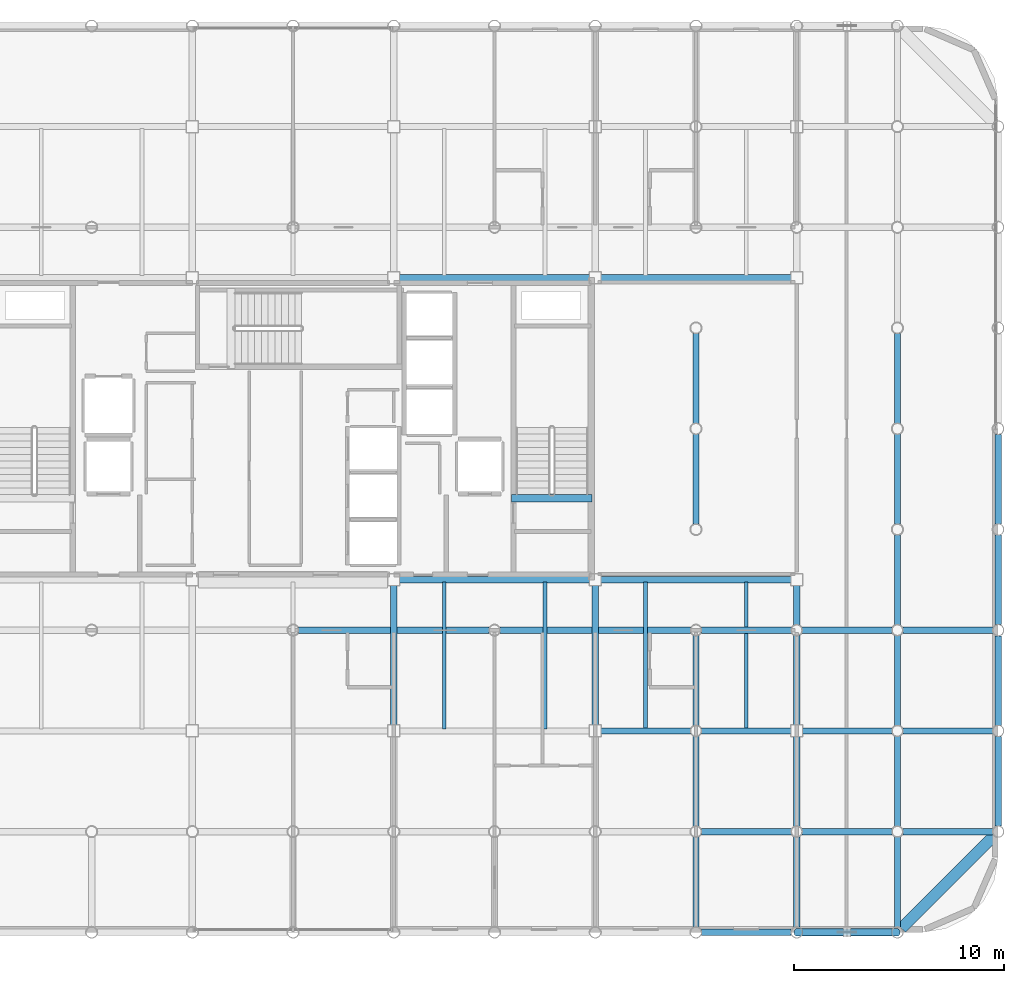
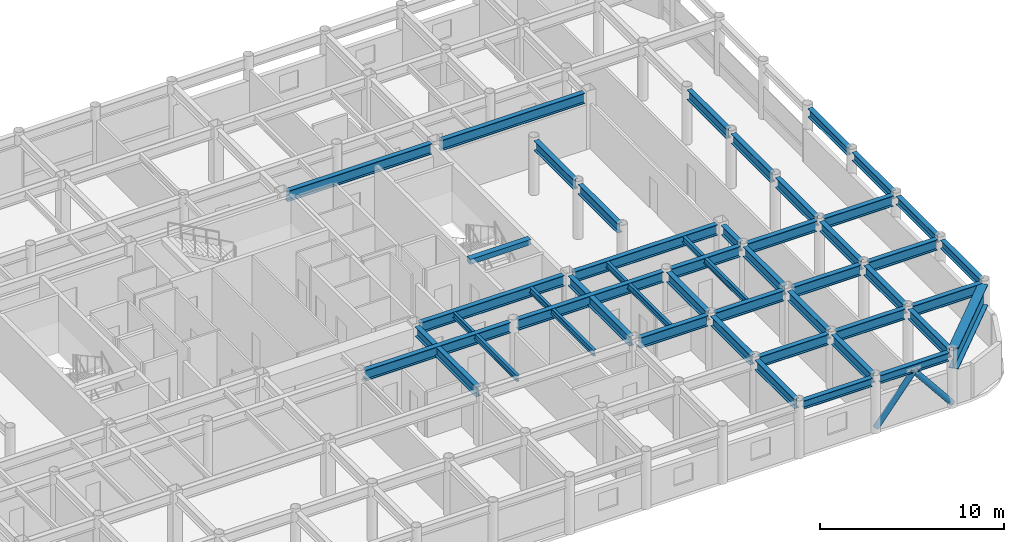
# One storey, part 9 of 22: 45 beams, 2 members.
"""IFC4 building model written with IfcOpenShell, lengths in metres."""

from ifc_helpers import new_model, si_unit, direction, frame, origin, origin_2d, place, context, subcontext, project, spatial, rectangle, hollow_circle, i_section, extrude, material, material_profile, profile_set, type_object, element, save


model = new_model("IFC4")

# Units and contexts
model_context = context("Model", 3, precision=1e-05, world=origin(), true_north=direction((0.0, 1.0)))
body_context = subcontext(model_context, "Body", "Model", "MODEL_VIEW")
ifc_project = project(units=[si_unit("LENGTHUNIT", "METRE"), si_unit("AREAUNIT", "SQUARE_METRE"), si_unit("VOLUMEUNIT", "CUBIC_METRE"), si_unit("PLANEANGLEUNIT", "RADIAN"), si_unit("MASSUNIT", "GRAM", prefix="KILO")], contexts=[model_context])

# Site, building, storey
site_placement = place(None, origin())
site = spatial("IfcSite", under=ifc_project, at=site_placement, CompositionType="ELEMENT")
building_placement = place(site_placement, origin())
building = spatial("IfcBuilding", under=site, at=building_placement, Name="Kallvorn Hotel Tower", CompositionType="ELEMENT")
storey_placement = place(building_placement, frame((0.0, 0.0, 203.050048828125)))
storey = spatial("IfcBuildingStorey", under=building, at=storey_placement, Name="L50", CompositionType="ELEMENT", Elevation=203.050048828125)

# Beams
ifc_material_1 = material(Name="Structural steel S355JR", Category="steel")
ifc_material_profile_1 = material_profile(ifc_material_1, i_section(OverallWidth=0.300048828125, OverallDepth=0.550048828125, WebThickness=0.014892578125, FlangeThickness=0.029052734375, at=origin_2d()), Name="HE 550 B")
ifc_profile_set_1 = profile_set([ifc_material_profile_1], Name="Structural steel S355JR")
beam_type_1 = type_object("IfcBeamType", Name="BM_HE550B", PredefinedType="SPANDREL", material=ifc_profile_set_1)
for number, where, z_axis, x_axis, name in (
    (1, (19.469482421875, -24.0, 3.39501953125), (1.0, 0.0, 0.0), (0.0, 1.0, 0.0), "L51 Perimeter Spandrel 160"),
    (2, (24.26953125, -24.0, 3.39501953125), (1.0, 0.0, 0.0), (0.0, 1.0, 0.0), "L51 Perimeter Spandrel 161"),
    (3, (33.60009765625, -18.930419921875, 3.39501953125), (0.0, 1.0, 0.0), (-1.0, 0.0, 0.0), "L51 Perimeter Spandrel 182"),
):
    element("IfcBeam", number, at=place(storey_placement, frame(where, z_axis=z_axis, x_axis=x_axis)), inside=storey, type_object=beam_type_1, Name=name, PredefinedType="SPANDREL", context=body_context, shape_type="SweptSolid", body=[
        extrude(i_section(OverallWidth=0.300048828125, OverallDepth=0.550048828125, WebThickness=0.014892578125, FlangeThickness=0.029052734375, at=origin_2d()), origin(), (0.0, 0.0, 1.0), 4.260986328125),
    ])
beam_1_placement = place(storey_placement, frame((33.60009765625, -14.130615234375, 3.39501953125), z_axis=(0.0, 1.0, 0.0), x_axis=(-1.0, 0.0, 0.0)))
element("IfcBeam", 4, at=beam_1_placement, inside=storey, type_object=beam_type_1, Name="L51 Perimeter Spandrel 183", PredefinedType="SPANDREL", context=body_context, shape_type="SweptSolid", body=[
    extrude(i_section(OverallWidth=0.300048828125, OverallDepth=0.550048828125, WebThickness=0.014892578125, FlangeThickness=0.029052734375, at=origin_2d()), origin(), (0.0, 0.0, 1.0), 4.26123046875),
])
for number, where, z_axis, x_axis, name in (
    (5, (33.60009765625, -9.33056640625, 3.39501953125), (0.0, 1.0, 0.0), (-1.0, 0.0, 0.0), "L51 Perimeter Spandrel 184"),
    (6, (33.60009765625, -4.530517578125, 3.39501953125), (0.0, 1.0, 0.0), (-1.0, 0.0, 0.0), "L51 Perimeter Spandrel 185"),
):
    element("IfcBeam", number, at=place(storey_placement, frame(where, z_axis=z_axis, x_axis=x_axis)), inside=storey, type_object=beam_type_1, Name=name, PredefinedType="SPANDREL", context=body_context, shape_type="SweptSolid", body=[
        extrude(i_section(OverallWidth=0.300048828125, OverallDepth=0.550048828125, WebThickness=0.014892578125, FlangeThickness=0.029052734375, at=origin_2d()), origin(), (0.0, 0.0, 1.0), 4.260986328125),
    ])
ifc_material_2 = material(Name="Structural steel S355JR", Category="steel")
ifc_material_profile_2 = material_profile(ifc_material_2, i_section(OverallWidth=0.300048828125, OverallDepth=0.64990234375, WebThickness=0.01611328125, FlangeThickness=0.031005859375, at=origin_2d()), Name="HE 650 B")
ifc_profile_set_2 = profile_set([ifc_material_profile_2], Name="Structural steel S355JR")
beam_type_2 = type_object("IfcBeamType", Name="BM_HE650B", PredefinedType="BEAM", material=ifc_profile_set_2)
for number, where, z_axis, x_axis, name in (
    (7, (4.800048828125, -14.125, 3.344970703125), (0.0, 1.0, 0.0), (-1.0, 0.0, 0.0), "L51 Primary Y-Girder 115"),
    (8, (14.39990234375, -14.125, 3.344970703125), (0.0, 1.0, 0.0), (-1.0, 0.0, 0.0), "L51 Primary Y-Girder 123"),
):
    element("IfcBeam", number, at=place(storey_placement, frame(where, z_axis=z_axis, x_axis=x_axis)), inside=storey, type_object=beam_type_2, Name=name, PredefinedType="BEAM", context=body_context, shape_type="SweptSolid", body=[
        extrude(i_section(OverallWidth=0.300048828125, OverallDepth=0.64990234375, WebThickness=0.01611328125, FlangeThickness=0.031005859375, at=origin_2d()), origin(), (0.0, 0.0, 1.0), 6.64990234375),
    ])
for number, where, z_axis, x_axis, name in (
    (9, (19.199951171875, -23.74560546875, 3.344970703125), (0.0, 1.0, 0.0), (-1.0, 0.0, 0.0), "L51 Primary Y-Girder 126"),
    (10, (19.199951171875, -18.945556640625, 3.344970703125), (0.0, 1.0, 0.0), (-1.0, 0.0, 0.0), "L51 Primary Y-Girder 127"),
    (11, (19.199951171875, -14.1455078125, 3.344970703125), (0.0, 1.0, 0.0), (-1.0, 0.0, 0.0), "L51 Primary Y-Girder 128"),
    (12, (19.199951171875, -4.54541015625, 3.344970703125), (0.0, 1.0, 0.0), (-1.0, 0.0, 0.0), "L51 Primary Y-Girder 130"),
    (13, (19.199951171875, 0.25439453125, 3.344970703125), (0.0, 1.0, 0.0), (-1.0, 0.0, 0.0), "L51 Primary Y-Girder 131"),
    (14, (24.0, -23.74560546875, 3.344970703125), (0.0, 1.0, 0.0), (-1.0, 0.0, 0.0), "L51 Primary Y-Girder 135"),
):
    element("IfcBeam", number, at=place(storey_placement, frame(where, z_axis=z_axis, x_axis=x_axis)), inside=storey, type_object=beam_type_2, Name=name, PredefinedType="BEAM", context=body_context, shape_type="SweptSolid", body=[
        extrude(i_section(OverallWidth=0.300048828125, OverallDepth=0.64990234375, WebThickness=0.01611328125, FlangeThickness=0.031005859375, at=origin_2d()), origin(), (0.0, 0.0, 1.0), 4.291015625),
    ])
for number, where, z_axis, x_axis, name in (
    (15, (24.0, -18.945556640625, 3.344970703125), (0.0, 1.0, 0.0), (-1.0, 0.0, 0.0), "L51 Primary Y-Girder 136"),
    (16, (24.0, -14.125, 3.344970703125), (0.0, 1.0, 0.0), (-1.0, 0.0, 0.0), "L51 Primary Y-Girder 137"),
):
    element("IfcBeam", number, at=place(storey_placement, frame(where, z_axis=z_axis, x_axis=x_axis)), inside=storey, type_object=beam_type_2, Name=name, PredefinedType="BEAM", context=body_context, shape_type="SweptSolid", body=[
        extrude(i_section(OverallWidth=0.300048828125, OverallDepth=0.64990234375, WebThickness=0.01611328125, FlangeThickness=0.031005859375, at=origin_2d()), origin(), (0.0, 0.0, 1.0), 4.2705078125),
    ])
beam_2_placement = place(storey_placement, frame((24.0, -9.345458984375, 3.344970703125), z_axis=(0.0, 1.0, 0.0), x_axis=(-1.0, 0.0, 0.0)))
element("IfcBeam", 17, at=beam_2_placement, inside=storey, type_object=beam_type_2, Name="L51 Primary Y-Girder 138", PredefinedType="BEAM", context=body_context, shape_type="SweptSolid", body=[
    extrude(i_section(OverallWidth=0.300048828125, OverallDepth=0.64990234375, WebThickness=0.01611328125, FlangeThickness=0.031005859375, at=origin_2d()), origin(), (0.0, 0.0, 1.0), 1.870361328125),
])
for number, where, z_axis, x_axis, name in (
    (18, (28.800048828125, -23.74560546875, 3.344970703125), (0.0, 1.0, 0.0), (-1.0, 0.0, 0.0), "L51 Primary Y-Girder 142"),
    (19, (28.800048828125, -18.945556640625, 3.344970703125), (0.0, 1.0, 0.0), (-1.0, 0.0, 0.0), "L51 Primary Y-Girder 143"),
    (20, (28.800048828125, -14.1455078125, 3.344970703125), (0.0, 1.0, 0.0), (-1.0, 0.0, 0.0), "L51 Primary Y-Girder 144"),
    (21, (28.800048828125, -9.345458984375, 3.344970703125), (0.0, 1.0, 0.0), (-1.0, 0.0, 0.0), "L51 Primary Y-Girder 145"),
    (22, (28.800048828125, -4.54541015625, 3.344970703125), (0.0, 1.0, 0.0), (-1.0, 0.0, 0.0), "L51 Primary Y-Girder 146"),
    (23, (28.800048828125, 0.25439453125, 3.344970703125), (0.0, 1.0, 0.0), (-1.0, 0.0, 0.0), "L51 Primary Y-Girder 147"),
):
    element("IfcBeam", number, at=place(storey_placement, frame(where, z_axis=z_axis, x_axis=x_axis)), inside=storey, type_object=beam_type_2, Name=name, PredefinedType="BEAM", context=body_context, shape_type="SweptSolid", body=[
        extrude(i_section(OverallWidth=0.300048828125, OverallDepth=0.64990234375, WebThickness=0.01611328125, FlangeThickness=0.031005859375, at=origin_2d()), origin(), (0.0, 0.0, 1.0), 4.291015625),
    ])
ifc_material_3 = material(Name="Structural steel S355JR", Category="steel")
ifc_material_profile_3 = material_profile(ifc_material_3, i_section(OverallWidth=0.300048828125, OverallDepth=0.699951171875, WebThickness=0.01708984375, FlangeThickness=0.031982421875, at=origin_2d()), Name="HE 700 B")
ifc_profile_set_3 = profile_set([ifc_material_profile_3], Name="Structural steel S355JR")
beam_type_3 = type_object("IfcBeamType", Name="BM_HE700B", PredefinedType="BEAM", material=ifc_profile_set_3)
for number, where, z_axis, x_axis, name in (
    (24, (19.45458984375, -19.199951171875, 3.320068359375), (1.0, 0.0, 0.0), (0.0, 1.0, 0.0), "L51 Primary X-Girder 11"),
    (25, (24.25439453125, -19.199951171875, 3.320068359375), (1.0, 0.0, 0.0), (0.0, 1.0, 0.0), "L51 Primary X-Girder 12"),
    (26, (29.054443359375, -19.199951171875, 3.320068359375), (1.0, 0.0, 0.0), (0.0, 1.0, 0.0), "L51 Primary X-Girder 13"),
):
    element("IfcBeam", number, at=place(storey_placement, frame(where, z_axis=z_axis, x_axis=x_axis)), inside=storey, type_object=beam_type_3, Name=name, PredefinedType="BEAM", context=body_context, shape_type="SweptSolid", body=[
        extrude(i_section(OverallWidth=0.300048828125, OverallDepth=0.699951171875, WebThickness=0.01708984375, FlangeThickness=0.031982421875, at=origin_2d()), origin(), (0.0, 0.0, 1.0), 4.291015625),
    ])
for number, where, z_axis, x_axis, name in (
    (27, (14.675048828125, -14.39990234375, 3.320068359375), (1.0, 0.0, 0.0), (0.0, 1.0, 0.0), "L51 Primary X-Girder 20"),
    (28, (19.45458984375, -14.39990234375, 3.320068359375), (1.0, 0.0, 0.0), (0.0, 1.0, 0.0), "L51 Primary X-Girder 21"),
    (29, (24.27490234375, -14.39990234375, 3.320068359375), (1.0, 0.0, 0.0), (0.0, 1.0, 0.0), "L51 Primary X-Girder 22"),
):
    element("IfcBeam", number, at=place(storey_placement, frame(where, z_axis=z_axis, x_axis=x_axis)), inside=storey, type_object=beam_type_3, Name=name, PredefinedType="BEAM", context=body_context, shape_type="SweptSolid", body=[
        extrude(i_section(OverallWidth=0.300048828125, OverallDepth=0.699951171875, WebThickness=0.01708984375, FlangeThickness=0.031982421875, at=origin_2d()), origin(), (0.0, 0.0, 1.0), 4.2705078125),
    ])
beam_3_placement = place(storey_placement, frame((29.054443359375, -14.39990234375, 3.320068359375), z_axis=(1.0, 0.0, 0.0), x_axis=(0.0, 1.0, 0.0)))
element("IfcBeam", 30, at=beam_3_placement, inside=storey, type_object=beam_type_3, Name="L51 Primary X-Girder 23", PredefinedType="BEAM", context=body_context, shape_type="SweptSolid", body=[
    extrude(i_section(OverallWidth=0.300048828125, OverallDepth=0.699951171875, WebThickness=0.01708984375, FlangeThickness=0.031982421875, at=origin_2d()), origin(), (0.0, 0.0, 1.0), 4.291015625),
])
for number, where, z_axis, x_axis, name in (
    (31, (0.25439453125, -9.60009765625, 3.320068359375), (1.0, 0.0, 0.0), (0.0, 1.0, 0.0), "L51 Primary X-Girder 28"),
    (32, (9.8544921875, -9.60009765625, 3.320068359375), (1.0, 0.0, 0.0), (0.0, 1.0, 0.0), "L51 Primary X-Girder 29"),
):
    element("IfcBeam", number, at=place(storey_placement, frame(where, z_axis=z_axis, x_axis=x_axis)), inside=storey, type_object=beam_type_3, Name=name, PredefinedType="BEAM", context=body_context, shape_type="SweptSolid", body=[
        extrude(i_section(OverallWidth=0.300048828125, OverallDepth=0.699951171875, WebThickness=0.01708984375, FlangeThickness=0.031982421875, at=origin_2d()), origin(), (0.0, 0.0, 1.0), 9.091064453125),
    ])
for number, where, z_axis, x_axis, name in (
    (33, (19.45458984375, -9.60009765625, 3.320068359375), (1.0, 0.0, 0.0), (0.0, 1.0, 0.0), "L51 Primary X-Girder 30"),
    (34, (24.25439453125, -9.60009765625, 3.320068359375), (1.0, 0.0, 0.0), (0.0, 1.0, 0.0), "L51 Primary X-Girder 31"),
    (35, (29.054443359375, -9.60009765625, 3.320068359375), (1.0, 0.0, 0.0), (0.0, 1.0, 0.0), "L51 Primary X-Girder 32"),
):
    element("IfcBeam", number, at=place(storey_placement, frame(where, z_axis=z_axis, x_axis=x_axis)), inside=storey, type_object=beam_type_3, Name=name, PredefinedType="BEAM", context=body_context, shape_type="SweptSolid", body=[
        extrude(i_section(OverallWidth=0.300048828125, OverallDepth=0.699951171875, WebThickness=0.01708984375, FlangeThickness=0.031982421875, at=origin_2d()), origin(), (0.0, 0.0, 1.0), 4.291015625),
    ])
for number, where, z_axis, x_axis, name in (
    (36, (5.074951171875, -7.199951171875, 3.320068359375), (1.0, 0.0, 0.0), (0.0, 1.0, 0.0), "L51 Primary X-Girder 35"),
    (37, (14.675048828125, -7.199951171875, 3.320068359375), (1.0, 0.0, 0.0), (0.0, 1.0, 0.0), "L51 Primary X-Girder 36"),
    (38, (5.074951171875, 7.199951171875, 3.320068359375), (1.0, 0.0, 0.0), (0.0, 1.0, 0.0), "L51 Primary X-Girder 40"),
    (39, (14.675048828125, 7.199951171875, 3.320068359375), (1.0, 0.0, 0.0), (0.0, 1.0, 0.0), "L51 Primary X-Girder 41"),
):
    element("IfcBeam", number, at=place(storey_placement, frame(where, z_axis=z_axis, x_axis=x_axis)), inside=storey, type_object=beam_type_3, Name=name, PredefinedType="BEAM", context=body_context, shape_type="SweptSolid", body=[
        extrude(i_section(OverallWidth=0.300048828125, OverallDepth=0.699951171875, WebThickness=0.01708984375, FlangeThickness=0.031982421875, at=origin_2d()), origin(), (0.0, 0.0, 1.0), 9.050048828125),
    ])
ifc_material_4 = material(Name="Structural steel S355JR", Category="steel")
ifc_material_profile_4 = material_profile(ifc_material_4, i_section(OverallWidth=0.179931640625, OverallDepth=0.39990234375, WebThickness=0.008544921875, FlangeThickness=0.013427734375, at=origin_2d()), Name="IPE 400")
ifc_profile_set_4 = profile_set([ifc_material_profile_4], Name="Structural steel S355JR")
beam_type_4 = type_object("IfcBeamType", Name="BM_IPE400", PredefinedType="JOIST", material=ifc_profile_set_4)
for number, where, z_axis, x_axis, name in (
    (40, (7.199951171875, -14.300048828125, 3.469970703125), (0.0, 1.0, 0.0), (-1.0, 0.0, 0.0), "L51 Secondary Composite Joist 202"),
    (41, (12.0, -14.300048828125, 3.469970703125), (0.0, 1.0, 0.0), (-1.0, 0.0, 0.0), "L51 Secondary Composite Joist 204"),
    (42, (16.800048828125, -14.300048828125, 3.469970703125), (0.0, 1.0, 0.0), (-1.0, 0.0, 0.0), "L51 Secondary Composite Joist 206"),
    (43, (21.60009765625, -14.300048828125, 3.469970703125), (0.0, 1.0, 0.0), (-1.0, 0.0, 0.0), "L51 Secondary Composite Joist 208"),
):
    element("IfcBeam", number, at=place(storey_placement, frame(where, z_axis=z_axis, x_axis=x_axis)), inside=storey, type_object=beam_type_4, Name=name, PredefinedType="JOIST", context=body_context, shape_type="SweptSolid", body=[
        extrude(i_section(OverallWidth=0.179931640625, OverallDepth=0.39990234375, WebThickness=0.008544921875, FlangeThickness=0.013427734375, at=origin_2d()), origin(), (0.0, 0.0, 1.0), 7.0),
    ])
ifc_material_5 = material(Name="Structural steel S355JR", Category="steel")
ifc_material_profile_5 = material_profile(ifc_material_5, i_section(OverallWidth=0.550048828125, OverallDepth=1.39990234375, WebThickness=0.02490234375, FlangeThickness=0.044921875, at=origin_2d()), Name="PG 1400x550x25x45")
ifc_profile_set_5 = profile_set([ifc_material_profile_5], Name="Structural steel S355JR")
beam_type_5 = type_object("IfcBeamType", Name="BM_PG_1400", PredefinedType="BEAM", material=ifc_profile_set_5)
beam_4_placement = place(storey_placement, frame((33.409423828125, -19.390625, 2.969970703125), z_axis=(-0.707126314793, -0.707087247041, 0.0), x_axis=(0.707087247041, -0.707126314793, 0.0)))
element("IfcBeam", 44, at=beam_4_placement, inside=storey, type_object=beam_type_5, Name="L51 Rounded Corner Tie Beam 190", PredefinedType="BEAM", context=body_context, shape_type="SweptSolid", body=[
    extrude(i_section(OverallWidth=0.550048828125, OverallDepth=1.39990234375, WebThickness=0.02490234375, FlangeThickness=0.044921875, at=origin_2d()), origin(), (0.0, 0.0, 1.0), 6.249267578125),
])
ifc_material_6 = material(Name="Concrete C50/60", Category="concrete")
ifc_material_profile_6 = material_profile(ifc_material_6, rectangle(XDim=0.360107421875, YDim=0.340087890625, at=origin_2d()), Name="RC 360x340")
ifc_profile_set_6 = profile_set([ifc_material_profile_6], Name="Concrete C50/60")
beam_type_6 = type_object("IfcBeamType", Name="BM_RC_400x360", PredefinedType="BEAM", material=ifc_profile_set_6)
beam_5_placement = place(storey_placement, frame((14.239990234375, -3.31005859375, 3.5), z_axis=(-1.0, 0.0, 0.0), x_axis=(0.0, -1.0, 0.0)))
element("IfcBeam", 45, at=beam_5_placement, inside=storey, type_object=beam_type_6, Name="L51 Stair ST2 Arrival Trimmer Beam", PredefinedType="BEAM", context=body_context, shape_type="SweptSolid", body=[
    extrude(rectangle(XDim=0.360107421875, YDim=0.340087890625, at=origin_2d()), origin(), (0.0, 0.0, 1.0), 3.820068359375),
])

# Members
ifc_material_7 = material(Name="Structural steel S355J2H", Category="steel")
ifc_material_profile_7 = material_profile(ifc_material_7, hollow_circle(Radius=0.177734375, WallThickness=0.01416015625, at=origin_2d()), Name="CHS 355.6x14.2")
ifc_profile_set_7 = profile_set([ifc_material_profile_7], Name="Structural steel S355J2H")
member_type = type_object("IfcMemberType", Name="MBR_EXO_CHS355", PredefinedType="BRACE", material=ifc_profile_set_7)
for number, where, z_axis, x_axis, name in (
    (46, (24.012451171875, -24.0, 0.195556640625), (0.627270878626, 0.0, 0.778801158722), (0.0, 1.0, 0.0), "L50 Exoskeleton K-Brace S2A"),
    (47, (28.78759765625, -24.0, 0.195556640625), (-0.627270878626, 0.0, 0.778801158722), (0.0, -1.0, 0.0), "L50 Exoskeleton K-Brace S2B"),
):
    element("IfcMember", number, at=place(storey_placement, frame(where, z_axis=z_axis, x_axis=x_axis)), inside=storey, type_object=member_type, Name=name, PredefinedType="BRACE", context=body_context, shape_type="SweptSolid", body=[
        extrude(hollow_circle(Radius=0.177734375, WallThickness=0.01416015625, at=origin_2d()), origin(), (0.0, 0.0, 1.0), 3.7861328125),
    ])

save(model, "model.ifc")
